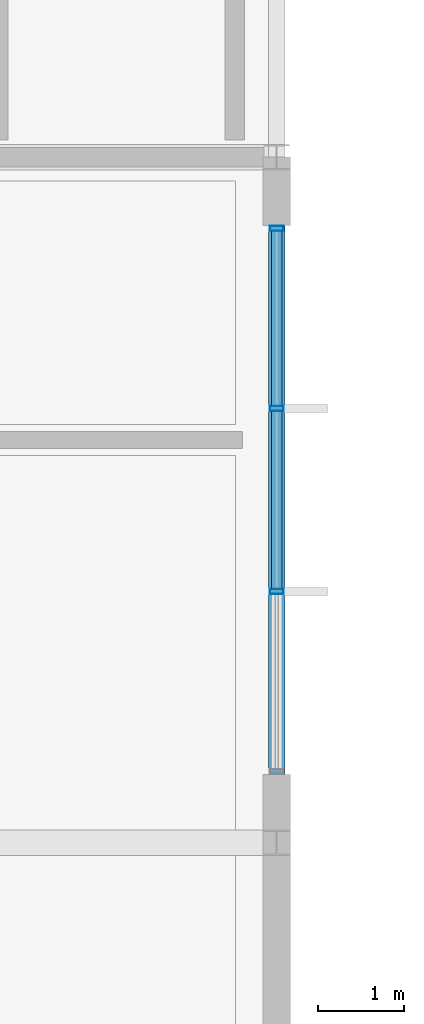
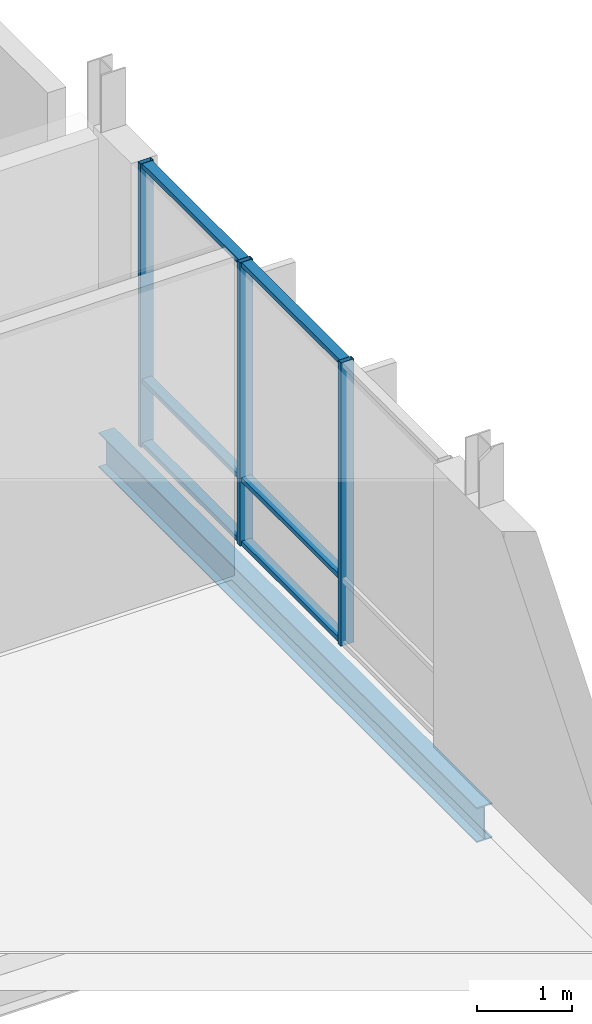
# One storey, part 162 of 233: 9 members, 1 beam, 1 element without a shape of its own.
"""IFC4 building model written with IfcOpenShell, lengths in metres."""

import ifcopenshell
import ifcopenshell.guid

model = None  # the IFC model being written
_history = None  # IfcOwnerHistory: only IFC2X3 demands one
_inside = {}  # id of a spatial element -> (the spatial element, [elements in it])
_under = {}  # id of a project, library or spatial element -> (it, [spatial elements below it])
_declared = {}  # id of a project -> (the project, [libraries it declares])
_typed = {}  # id of a type object -> (the type object, [elements of that type])
_made_of = {}  # id of a material, layer set ... -> (it, [elements and type objects made of it])


def new_model(schema):
    """Start an empty IFC model of exactly this schema.

    Asked for "IFC4X3", IfcOpenShell would pick the latest addendum, in which some entities
    have other attributes; the version numbers below select the first issue.
    IFC2X3 requires an IfcOwnerHistory on every rooted entity: one is made here for all.
    """
    global model, _history
    if schema == "IFC4X3":
        model = ifcopenshell.file(schema_version=(4, 3, 0, 0))
    else:
        model = ifcopenshell.file(schema=schema)
    _inside.clear()
    _under.clear()
    _declared.clear()
    _typed.clear()
    _made_of.clear()
    _history = None
    if model.schema == "IFC2X3":
        org = make("IfcOrganization", Name="unknown")
        user = make(
            "IfcPersonAndOrganization",
            ThePerson=make("IfcPerson", FamilyName="unknown"),
            TheOrganization=org,
        )
        app = make(
            "IfcApplication",
            ApplicationDeveloper=org,
            Version="unknown",
            ApplicationFullName="unknown",
            ApplicationIdentifier="unknown",
        )
        _history = make(
            "IfcOwnerHistory",
            OwningUser=user,
            OwningApplication=app,
            ChangeAction="ADDED",
            CreationDate=0,
        )
    return model


def make(cls, **values):
    """One entity of the class cls with the attributes given. An attribute that is None is left unset."""
    return model.create_entity(
        cls, **{name: value for name, value in values.items() if value is not None}
    )


def rooted(cls, **values):
    """An entity with a GlobalId (a new one), such as an element, a storey or a relation."""
    return make(cls, GlobalId=ifcopenshell.guid.new(), OwnerHistory=_history, **values)


def si_unit(unit_type, name, prefix=None):
    """IfcSIUnit, for example si_unit("LENGTHUNIT", "METRE", prefix="MILLI")."""
    return make("IfcSIUnit", UnitType=unit_type, Prefix=prefix, Name=name)


def assignment(units):
    """IfcUnitAssignment: the units of a project."""
    return None if units is None else make("IfcUnitAssignment", Units=units)


def point(xyz):
    """IfcCartesianPoint."""
    return None if xyz is None else make("IfcCartesianPoint", Coordinates=xyz)


def direction(xyz):
    """IfcDirection."""
    return None if xyz is None else make("IfcDirection", DirectionRatios=xyz)


def frame(location, z_axis=None, x_axis=None):
    """IfcAxis2Placement3D, a coordinate frame: its origin and axes. An axis left out is left unset."""
    return make(
        "IfcAxis2Placement3D",
        Location=point(location),
        Axis=direction(z_axis),
        RefDirection=direction(x_axis),
    )


def frame_2d(location, x_axis=None):
    """IfcAxis2Placement2D, a coordinate frame in the plane: its origin and x axis."""
    return make(
        "IfcAxis2Placement2D", Location=point(location), RefDirection=direction(x_axis)
    )


def origin():
    """The frame at (0, 0, 0) with its axes left unset."""
    return frame((0.0, 0.0, 0.0))


def origin_2d():
    """The frame at (0, 0) in the plane with its x axis left unset."""
    return frame_2d((0.0, 0.0))


def place(relative_to, where):
    """IfcLocalPlacement: puts the frame where relative to a parent placement (None: the world)."""
    return make(
        "IfcLocalPlacement", PlacementRelTo=relative_to, RelativePlacement=where
    )


def context(
    kind, dimensions, precision=None, world=None, true_north=None, identifier=None
):
    """IfcGeometricRepresentationContext, for example the 3D "Model" context."""
    return make(
        "IfcGeometricRepresentationContext",
        ContextIdentifier=identifier,
        ContextType=kind,
        CoordinateSpaceDimension=dimensions,
        Precision=precision,
        WorldCoordinateSystem=world,
        TrueNorth=true_north,
    )


def subcontext(parent, identifier, kind, view, scale=None):
    """IfcGeometricRepresentationSubContext, for example "Body" below "Model"."""
    return make(
        "IfcGeometricRepresentationSubContext",
        ContextIdentifier=identifier,
        ContextType=kind,
        ParentContext=parent,
        TargetScale=scale,
        TargetView=view,
    )


def project(units=None, contexts=None):
    """IfcProject with its units and contexts."""
    return rooted(
        "IfcProject",
        Name="project",
        RepresentationContexts=contexts,
        UnitsInContext=assignment(units),
    )


def spatial(cls, under=None, at=None, **own):
    """A site, building, storey or space (cls), placed at a placement, below another one or the project."""
    s = rooted(cls, ObjectPlacement=at, **own)
    if under is not None:
        _under.setdefault(under.id(), (under, []))[1].append(s)
    return s


def profile(cls, at=None, kind="AREA", **sizes):
    """A parametric profile (cls). Its sizes go by their IFC names, for example OverallWidth=200.0."""
    return make(cls, ProfileType=kind, Position=at, **sizes)


def hollow_rectangle(**sizes):
    """IfcRectangleHollowProfileDef."""
    return profile("IfcRectangleHollowProfileDef", **sizes)


def i_section(**sizes):
    """IfcIShapeProfileDef."""
    return profile("IfcIShapeProfileDef", **sizes)


def extrude(swept, where, along, depth):
    """IfcExtrudedAreaSolid: the profile swept, set in the frame where, extruded along a direction by depth."""
    return make(
        "IfcExtrudedAreaSolid",
        SweptArea=swept,
        Position=where,
        ExtrudedDirection=direction(along),
        Depth=depth,
    )


def shape(context_of_items, identifier, shape_type, items):
    """IfcShapeRepresentation: the items that make up one representation, for example the "Body"."""
    return make(
        "IfcShapeRepresentation",
        ContextOfItems=context_of_items,
        RepresentationIdentifier=identifier,
        RepresentationType=shape_type,
        Items=items,
    )


def material(Name=None, Category=None):
    """IfcMaterial."""
    return make("IfcMaterial", Name=Name, Category=Category)


def material_profile(
    of_material, cross_section, Name=None, Category=None, Priority=None
):
    """IfcMaterialProfile: a cross section and its material."""
    return make(
        "IfcMaterialProfile",
        Name=Name,
        Material=of_material,
        Profile=cross_section,
        Priority=Priority,
        Category=Category,
    )


def profile_set(profiles, Name=None, composite=None):
    """IfcMaterialProfileSet."""
    return make(
        "IfcMaterialProfileSet",
        Name=Name,
        MaterialProfiles=profiles,
        CompositeProfile=composite,
    )


def made_of(thing, what):
    """Note that an element or type object is made of a material, layer set ...; save() writes the relation."""
    if what is not None:
        _made_of.setdefault(what.id(), (what, []))[1].append(thing)
    return thing


def type_object(cls, material=None, **own):
    """A type object (cls), such as IfcWallType, which elements share."""
    return made_of(rooted(cls, **own), material)


def element(
    cls,
    number,
    at=None,
    inside=None,
    cuts=None,
    type_object=None,
    material=None,
    context=None,
    identifier="Body",
    shape_type=None,
    held_by="IfcProductDefinitionShape",
    body=None,
    shapes=None,
    **own,
):
    """One element of the class cls, such as IfcWall. Its Tag is "e" and its number.

    at: its placement. inside: the storey or other place that contains it. cuts: it is an
    opening in that element (IfcRelVoidsElement). A single representation is given by context,
    identifier, shape_type and body (its items); several are given by shapes. held_by: the class
    of the entity that holds the representations. save() writes the other relations.
    """
    e = rooted(cls, Tag="e%d" % number, ObjectPlacement=at, **own)
    if body is not None:
        shapes = [shape(context, identifier, shape_type, body)]
    if shapes is not None:
        e.Representation = make(held_by, Representations=shapes)
    if inside is not None:
        _inside.setdefault(inside.id(), (inside, []))[1].append(e)
    if cuts is not None:
        rooted(
            "IfcRelVoidsElement", RelatingBuildingElement=cuts, RelatedOpeningElement=e
        )
    if type_object is not None:
        _typed.setdefault(type_object.id(), (type_object, []))[1].append(e)
    return made_of(e, material)


def aggregate(whole, parts):
    """IfcRelAggregates: a whole, such as a stair, and the parts it consists of."""
    return rooted("IfcRelAggregates", RelatingObject=whole, RelatedObjects=parts)


def save(model, path):
    """Write the relations noted so far, then the file.

    IfcRelAggregates (storeys below a building ...), IfcRelContainedInSpatialStructure (elements
    in a storey), IfcRelDefinesByType, IfcRelAssociatesMaterial and IfcRelDeclares: one each for
    every whole, place, type object, material and project.
    """
    for whole, parts in _under.values():
        aggregate(whole, parts)
    for where, things in _inside.values():
        rooted(
            "IfcRelContainedInSpatialStructure",
            RelatedElements=things,
            RelatingStructure=where,
        )
    for kind, things in _typed.values():
        rooted("IfcRelDefinesByType", RelatedObjects=things, RelatingType=kind)
    for what, things in _made_of.values():
        rooted("IfcRelAssociatesMaterial", RelatedObjects=things, RelatingMaterial=what)
    for by, libraries in _declared.values():
        rooted("IfcRelDeclares", RelatingContext=by, RelatedDefinitions=libraries)
    model.write(path)


model = new_model("IFC4")

# Units and contexts
model_context = context("Model", 3, precision=1e-05, world=origin(), true_north=direction((0.0, 1.0)))
body_context = subcontext(model_context, "Body", "Model", "MODEL_VIEW")
ifc_project = project(units=[si_unit("LENGTHUNIT", "METRE"), si_unit("AREAUNIT", "SQUARE_METRE"), si_unit("VOLUMEUNIT", "CUBIC_METRE"), si_unit("PLANEANGLEUNIT", "RADIAN"), si_unit("MASSUNIT", "GRAM", prefix="KILO")], contexts=[model_context])

# Site, building, storey
site_placement = place(None, origin())
site = spatial("IfcSite", under=ifc_project, at=site_placement, CompositionType="ELEMENT")
building_placement = place(site_placement, origin())
building = spatial("IfcBuilding", under=site, at=building_placement, Name="Zavelmont Quarter", CompositionType="ELEMENT")
storey_placement = place(building_placement, origin())
storey = spatial("IfcBuildingStorey", under=building, at=storey_placement, Name="L00", CompositionType="ELEMENT", Elevation=0.0)

# Beam
ifc_material_1 = material(Name="Steel S355", Category="steel")
ifc_material_profile_1 = material_profile(ifc_material_1, i_section(OverallWidth=0.18994140625, OverallDepth=0.449951171875, WebThickness=0.009521484375, FlangeThickness=0.0146484375, at=origin_2d()), Name="IPE 450")
ifc_profile_set_1 = profile_set([ifc_material_profile_1], Name="Steel S355")
beam_type = type_object("IfcBeamType", Name="BM12", PredefinedType="BEAM", material=ifc_profile_set_1)
beam_placement = place(storey_placement, frame((168.0, 62.0, -0.544921875), z_axis=(0.0, 1.0, 0.0), x_axis=(-1.0, 0.0, 0.0)))
element("IfcBeam", 1, at=beam_placement, inside=storey, type_object=beam_type, Name="L00 beam BM12 25/K to 25/L", PredefinedType="BEAM", context=body_context, shape_type="SweptSolid", body=[
    extrude(i_section(OverallWidth=0.18994140625, OverallDepth=0.449951171875, WebThickness=0.009521484375, FlangeThickness=0.0146484375, at=origin_2d()), origin(), (0.0, 0.0, 1.0), 8.0),
])

# Curtain wall, members
ifc_material_2 = material(Name="Thermally broken aluminium and double low-E safety glazing", Category="aluminium")
curtain_wall_type = type_object("IfcCurtainWallType", Name="CW-640X366", PredefinedType="NOTDEFINED", material=ifc_material_2)
curtain_wall_placement = place(storey_placement, origin())
curtain_wall = element("IfcCurtainWall", 2, at=curtain_wall_placement, inside=storey, type_object=curtain_wall_type, Name="L00 unitised curtain wall CW-640X366", PredefinedType="NOTDEFINED")
ifc_material_3 = material(Name="Powder-coated aluminium EN AW-6063-T6", Category="aluminium")
ifc_material_profile_2 = material_profile(ifc_material_3, hollow_rectangle(XDim=0.06005859375, YDim=0.159912109375, WallThickness=0.00390625, at=origin_2d()), Name="CWM60X160")
ifc_profile_set_2 = profile_set([ifc_material_profile_2], Name="Powder-coated aluminium EN AW-6063-T6")
member_type_1 = type_object("IfcMemberType", Name="CWM01", PredefinedType="MULLION", material=ifc_profile_set_2)
member_1_placement = place(storey_placement, frame((168.0, 64.933349609375, 0.0), z_axis=(0.0, 0.0, 1.0), x_axis=(0.0, 1.0, 0.0)))
member_1 = element("IfcMember", 3, at=member_1_placement, type_object=member_type_1, Name="CW-640X366 mullion 2", PredefinedType="MULLION", context=body_context, shape_type="SweptSolid", body=[
    extrude(hollow_rectangle(XDim=0.06005859375, YDim=0.159912109375, WallThickness=0.00390625, at=origin_2d()), origin(), (0.0, 0.0, 1.0), 3.659912109375),
])
member_2_placement = place(storey_placement, frame((168.0, 67.066650390625, 0.0), z_axis=(0.0, 0.0, 1.0), x_axis=(0.0, 1.0, 0.0)))
member_2 = element("IfcMember", 4, at=member_2_placement, type_object=member_type_1, Name="CW-640X366 mullion 3", PredefinedType="MULLION", context=body_context, shape_type="SweptSolid", body=[
    extrude(hollow_rectangle(XDim=0.06005859375, YDim=0.159912109375, WallThickness=0.00390625, at=origin_2d()), origin(), (0.0, 0.0, 1.0), 3.659912109375),
])
member_3_placement = place(storey_placement, frame((168.0, 69.169921875, 0.0), z_axis=(0.0, 0.0, 1.0), x_axis=(0.0, 1.0, 0.0)))
member_3 = element("IfcMember", 5, at=member_3_placement, type_object=member_type_1, Name="CW-640X366 mullion 4", PredefinedType="MULLION", context=body_context, shape_type="SweptSolid", body=[
    extrude(hollow_rectangle(XDim=0.06005859375, YDim=0.159912109375, WallThickness=0.00390625, at=origin_2d()), origin(), (0.0, 0.0, 1.0), 3.659912109375),
])
ifc_material_profile_3 = material_profile(ifc_material_3, hollow_rectangle(XDim=0.1201171875, YDim=0.06005859375, WallThickness=0.00390625, at=origin_2d()), Name="CWT60X120")
ifc_profile_set_3 = profile_set([ifc_material_profile_3], Name="Powder-coated aluminium EN AW-6063-T6")
member_type_2 = type_object("IfcMemberType", Name="CWT01", PredefinedType="NOTDEFINED", material=ifc_profile_set_3)
member_4_placement = place(storey_placement, frame((168.0, 64.96337890625, 0.030029296875), z_axis=(0.0, 1.0, 0.0), x_axis=(-1.0, 0.0, 0.0)))
member_4 = element("IfcMember", 6, at=member_4_placement, type_object=member_type_2, Name="CW-640X366 transom 2.1", ObjectType="TRANSOM", PredefinedType="USERDEFINED", context=body_context, shape_type="SweptSolid", body=[
    extrude(hollow_rectangle(XDim=0.1201171875, YDim=0.06005859375, WallThickness=0.00390625, at=origin_2d()), origin(), (0.0, 0.0, 1.0), 2.0732421875),
])
member_5_placement = place(storey_placement, frame((168.0, 64.96337890625, 0.85009765625), z_axis=(0.0, 1.0, 0.0), x_axis=(-1.0, 0.0, 0.0)))
member_5 = element("IfcMember", 7, at=member_5_placement, type_object=member_type_2, Name="CW-640X366 transom 2.2", ObjectType="TRANSOM", PredefinedType="USERDEFINED", context=body_context, shape_type="SweptSolid", body=[
    extrude(hollow_rectangle(XDim=0.1201171875, YDim=0.06005859375, WallThickness=0.00390625, at=origin_2d()), origin(), (0.0, 0.0, 1.0), 2.0732421875),
])
member_6_placement = place(storey_placement, frame((168.0, 64.96337890625, 3.6298828125), z_axis=(0.0, 1.0, 0.0), x_axis=(-1.0, 0.0, 0.0)))
member_6 = element("IfcMember", 8, at=member_6_placement, type_object=member_type_2, Name="CW-640X366 transom 2.3", ObjectType="TRANSOM", PredefinedType="USERDEFINED", context=body_context, shape_type="SweptSolid", body=[
    extrude(hollow_rectangle(XDim=0.1201171875, YDim=0.06005859375, WallThickness=0.00390625, at=origin_2d()), origin(), (0.0, 0.0, 1.0), 2.0732421875),
])
member_7_placement = place(storey_placement, frame((168.0, 67.0966796875, 0.030029296875), z_axis=(0.0, 1.0, 0.0), x_axis=(-1.0, 0.0, 0.0)))
member_7 = element("IfcMember", 9, at=member_7_placement, type_object=member_type_2, Name="CW-640X366 transom 3.1", ObjectType="TRANSOM", PredefinedType="USERDEFINED", context=body_context, shape_type="SweptSolid", body=[
    extrude(hollow_rectangle(XDim=0.1201171875, YDim=0.06005859375, WallThickness=0.00390625, at=origin_2d()), origin(), (0.0, 0.0, 1.0), 2.043212890625),
])
member_8_placement = place(storey_placement, frame((168.0, 67.0966796875, 0.85009765625), z_axis=(0.0, 1.0, 0.0), x_axis=(-1.0, 0.0, 0.0)))
member_8 = element("IfcMember", 10, at=member_8_placement, type_object=member_type_2, Name="CW-640X366 transom 3.2", ObjectType="TRANSOM", PredefinedType="USERDEFINED", context=body_context, shape_type="SweptSolid", body=[
    extrude(hollow_rectangle(XDim=0.1201171875, YDim=0.06005859375, WallThickness=0.00390625, at=origin_2d()), origin(), (0.0, 0.0, 1.0), 2.043212890625),
])
member_9_placement = place(storey_placement, frame((168.0, 67.0966796875, 3.6298828125), z_axis=(0.0, 1.0, 0.0), x_axis=(-1.0, 0.0, 0.0)))
member_9 = element("IfcMember", 11, at=member_9_placement, type_object=member_type_2, Name="CW-640X366 transom 3.3", ObjectType="TRANSOM", PredefinedType="USERDEFINED", context=body_context, shape_type="SweptSolid", body=[
    extrude(hollow_rectangle(XDim=0.1201171875, YDim=0.06005859375, WallThickness=0.00390625, at=origin_2d()), origin(), (0.0, 0.0, 1.0), 2.043212890625),
])
aggregate(curtain_wall, [member_1, member_2, member_3, member_4, member_5, member_6, member_7, member_8, member_9])

save(model, "model.ifc")
